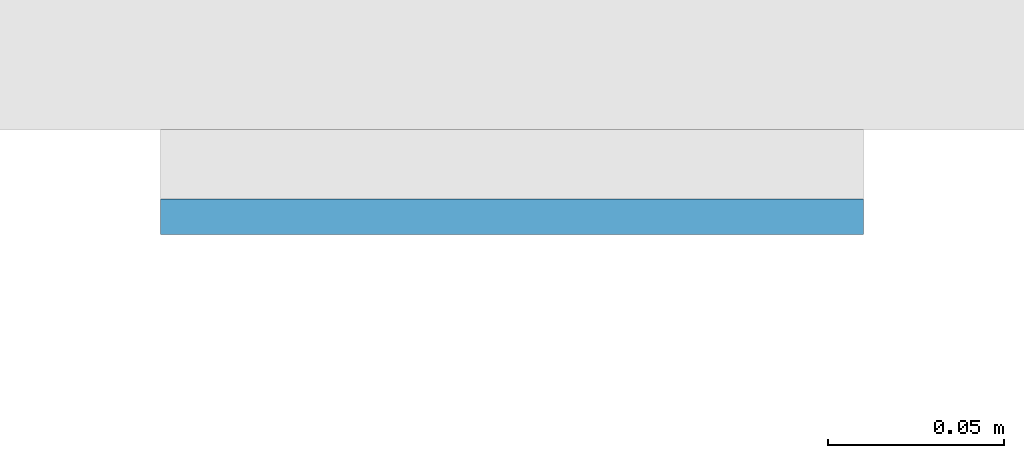
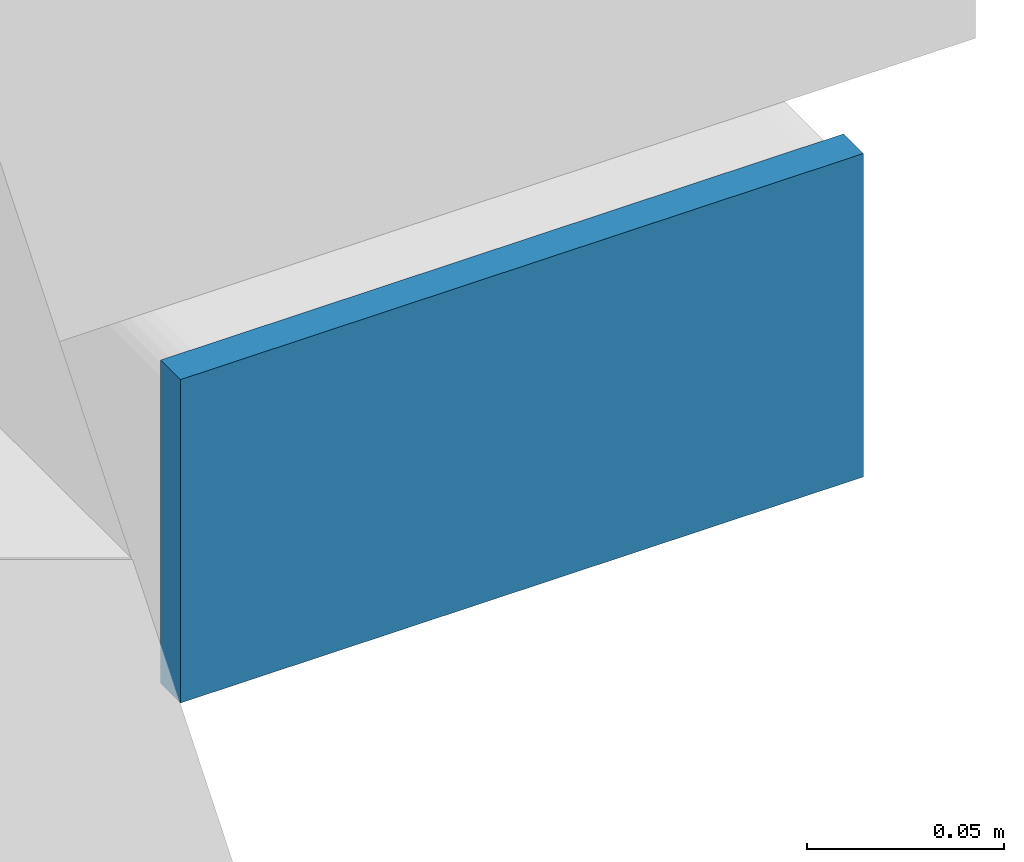
# One storey, part 11 of 17: 1 plate.
"""IFC4 building model written with IfcOpenShell, lengths in metres."""

from ifc_helpers import new_model, si_unit, direction, frame, origin, origin_2d, place, context, subcontext, project, spatial, rectangle, extrude, material, layer, layer_set, type_object, element, save


model = new_model("IFC4")

# Units and contexts
model_context = context("Model", 3, precision=1e-05, world=origin(), true_north=direction((0.0, 1.0)))
body_context = subcontext(model_context, "Body", "Model", "MODEL_VIEW")
ifc_project = project(units=[si_unit("LENGTHUNIT", "METRE"), si_unit("AREAUNIT", "SQUARE_METRE"), si_unit("VOLUMEUNIT", "CUBIC_METRE"), si_unit("PLANEANGLEUNIT", "RADIAN"), si_unit("MASSUNIT", "GRAM", prefix="KILO")], contexts=[model_context])

# Site, building, storey
site_placement = place(None, origin())
site = spatial("IfcSite", under=ifc_project, at=site_placement, CompositionType="ELEMENT")
building_placement = place(site_placement, origin())
building = spatial("IfcBuilding", under=site, at=building_placement, Name="Cleftline Residences", CompositionType="ELEMENT")
storey_placement = place(building_placement, frame((0.0, 0.0, 90.800048828125)))
storey = spatial("IfcBuildingStorey", under=building, at=storey_placement, Name="L23", CompositionType="ELEMENT", Elevation=90.800048828125)

# Plate
ifc_material = material(Name="Steel S355, hot-dip galvanised", Category="steel")
ifc_layer = layer(ifc_material, 0.010009765625)
ifc_layer_set = layer_set([ifc_layer], Name="BAGUETTE CARRIER END PLATE 200X100X10")
plate_type = type_object("IfcPlateType", Name="BAGUETTE CARRIER END PLATE 200X100X10", PredefinedType="USERDEFINED", material=ifc_layer_set)
plate_placement = place(storey_placement, frame((66.85009765625, 3.695068359375, -0.10009765625), z_axis=(0.0, 0.0, 1.0), x_axis=(1.0, 0.0, 0.0)))
element("IfcPlate", 1, at=plate_placement, inside=storey, type_object=plate_type, Name="Baguette carrier end plate", ObjectType="BAGUETTE CARRIER END PLATE", PredefinedType="USERDEFINED", context=body_context, shape_type="SweptSolid", body=[
    extrude(rectangle(XDim=0.199951171875, YDim=0.010009765625, at=origin_2d()), origin(), (0.0, 0.0, 1.0), 0.10009765625),
])

save(model, "model.ifc")
